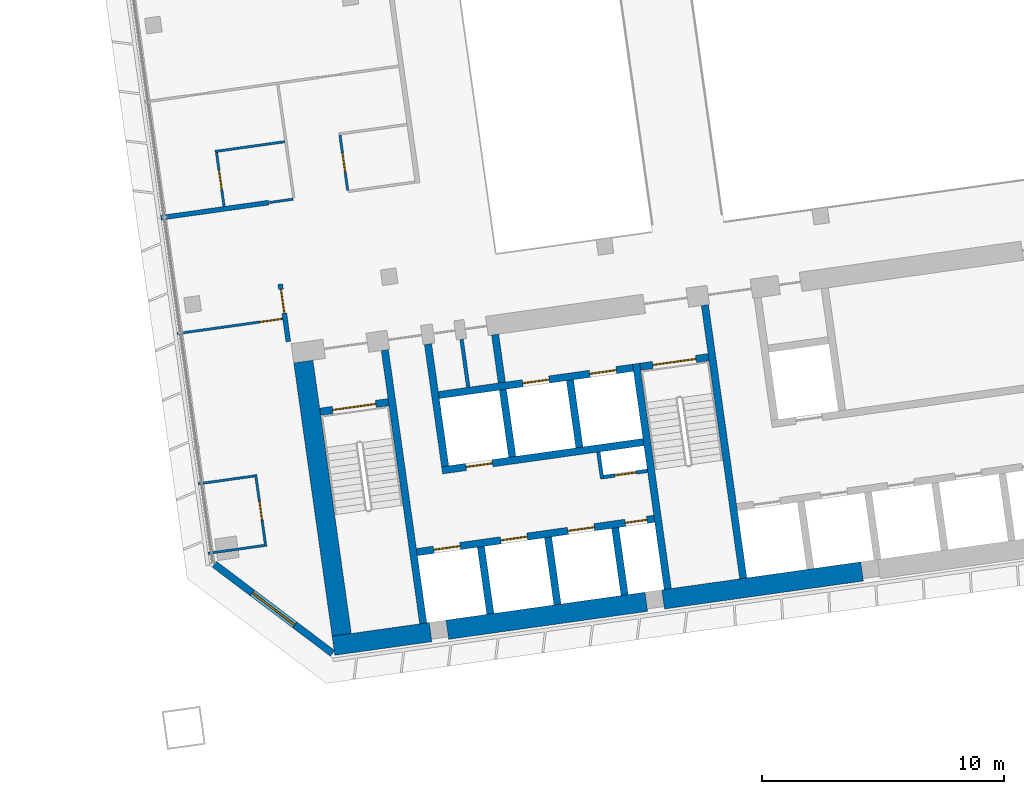
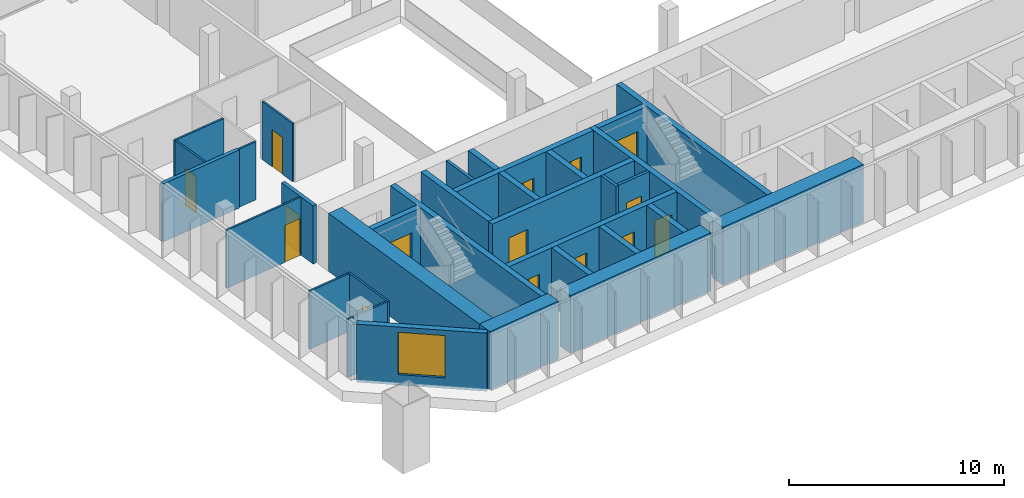
# One storey, part 22 of 34: 33 walls, 15 doors, 1 window, 16 openings.
"""IFC4 building model written with IfcOpenShell, lengths in metres."""

from ifc_helpers import new_model, si_unit, direction, frame, frame_2d, origin, place, context, subcontext, project, spatial, rectangle, extrude, material, layer, layer_set, type_object, element, fill, save


model = new_model("IFC4")

# Units and contexts
model_context = context("Model", 3, precision=1e-05, world=origin(), true_north=direction((0.0, 1.0)))
body_context = subcontext(model_context, "Body", "Model", "MODEL_VIEW")
ifc_project = project(units=[si_unit("LENGTHUNIT", "METRE"), si_unit("AREAUNIT", "SQUARE_METRE"), si_unit("VOLUMEUNIT", "CUBIC_METRE"), si_unit("PLANEANGLEUNIT", "RADIAN"), si_unit("MASSUNIT", "GRAM", prefix="KILO")], contexts=[model_context])

# Site, building, storey
site_placement = place(None, origin())
site = spatial("IfcSite", under=ifc_project, at=site_placement, CompositionType="ELEMENT")
building_placement = place(site_placement, origin())
building = spatial("IfcBuilding", under=site, at=building_placement, Name="Mirante Cascada Hotel Towers", CompositionType="ELEMENT")
storey_placement = place(building_placement, frame((0.0, 0.0, 148.1)))
storey = spatial("IfcBuildingStorey", under=building, at=storey_placement, Name="L34", CompositionType="ELEMENT", Elevation=148.1)

# Wall
ifc_material_1 = material(Name="Fire-rated plasterboard on metal studs")
ifc_layer_1 = layer(ifc_material_1, 0.2)
ifc_layer_set_1 = layer_set([ifc_layer_1], Name="Compartment wall 200 EI 120")
wall_type_1 = type_object("IfcWallType", Name="Compartment wall 200 EI 120", PredefinedType="PARTITIONING", material=ifc_layer_set_1)
wall_1_placement = place(storey_placement, frame((34.4562, -1.3737, 0.0), z_axis=(0.0, 0.0, 1.0), x_axis=(-0.9902674, -0.1391779, 0.0)))
element("IfcWall", 1, at=wall_1_placement, inside=storey, type_object=wall_type_1, Name="Wall 2-L34-04", PredefinedType="PARTITIONING", context=body_context, shape_type="SweptSolid", body=[
    extrude(rectangle(XDim=4.5, YDim=0.2, at=frame_2d((2.25, 0.0))), origin(), (0.0, 0.0, 1.0), 3.3),
])

# Wall, opening, door
wall_2_placement = place(storey_placement, frame((35.2634, -7.1173, 0.0), z_axis=(0.0, 0.0, 1.0), x_axis=(-0.1391635, 0.9902694, 0.0)))
wall_2 = element("IfcWall", 2, at=wall_2_placement, inside=storey, type_object=wall_type_1, Name="Wall 2-L34-29", PredefinedType="PARTITIONING", context=body_context, shape_type="SweptSolid", body=[
    extrude(rectangle(XDim=2.4001, YDim=0.2, at=frame_2d((1.2, 0.0))), origin(), (0.0, 0.0, 1.0), 3.3),
])
opening_1_placement = place(wall_2_placement, frame((1.1833, 0.0, 0.0)))
opening_1 = element("IfcOpeningElement", 3, at=opening_1_placement, cuts=wall_2, Name="Opening D2-L34-22", PredefinedType="OPENING", context=body_context, shape_type="SweptSolid", body=[
    extrude(rectangle(XDim=1.0, YDim=2.1, at=frame_2d((0.5, 1.05))), frame((0.0, 0.1, 0.0), z_axis=(0.0, -1.0, 0.0), x_axis=(1.0, 0.0, 0.0)), (0.0, 0.0, 1.0), 0.2),
])
ifc_material_2 = material(Name="Fire-rated timber door leaf", Category="wood")
door_type_1 = type_object("IfcDoorType", Name="Entrance door DG1 1000x2100 EI 60", OperationType="SINGLE_SWING_LEFT", PredefinedType="DOOR", material=ifc_material_2)
door_1_placement = place(opening_1_placement, origin())
door_1 = element("IfcDoor", 4, at=door_1_placement, inside=storey, type_object=door_type_1, Name="Door D2-L34-22", OperationType="SINGLE_SWING_LEFT", OverallHeight=2.1, OverallWidth=1.0, PredefinedType="DOOR", context=body_context, shape_type="SweptSolid", body=[
    extrude(rectangle(XDim=1.0, YDim=2.1, at=frame_2d((0.5, 1.05))), frame((0.0, 0.025, 0.0), z_axis=(0.0, -1.0, 0.0), x_axis=(1.0, 0.0, 0.0)), (0.0, 0.0, 1.0), 0.05),
])
fill(opening_1, door_1)

# Wall
ifc_material_3 = material(Name="Masonry block", Category="masonry")
ifc_layer_2 = layer(ifc_material_3, 0.15)
ifc_layer_set_2 = layer_set([ifc_layer_2], Name="Core room partition 150 block EI 30")
wall_type_2 = type_object("IfcWallType", Name="Core room partition 150 block EI 30", PredefinedType="PARTITIONING", material=ifc_layer_set_2)
wall_3_placement = place(storey_placement, frame((48.2295, -12.793, 0.0), z_axis=(0.0, 0.0, 1.0), x_axis=(-0.1391935, 0.9902652, 0.0)))
element("IfcWall", 5, at=wall_3_placement, inside=storey, type_object=wall_type_2, Name="Core wall partition T2 L34 2", PredefinedType="PARTITIONING", context=body_context, shape_type="SweptSolid", body=[
    extrude(rectangle(XDim=1.1251, YDim=0.15, at=frame_2d((0.5626, 0.0))), origin(), (0.0, 0.0, 1.0), 3.3),
])

# Wall, opening, door
wall_4_placement = place(storey_placement, frame((48.2933, -12.7083, 0.0), z_axis=(0.0, 0.0, 1.0), x_axis=(0.990268, 0.1391734, 0.0)))
wall_4 = element("IfcWall", 6, at=wall_4_placement, inside=storey, type_object=wall_type_2, Name="Core wall partition T2 L34 3", PredefinedType="PARTITIONING", context=body_context, shape_type="SweptSolid", body=[
    extrude(rectangle(XDim=1.8251, YDim=0.15, at=frame_2d((0.9126, 0.0))), origin(), (0.0, 0.0, 1.0), 3.3),
])
opening_2_placement = place(wall_4_placement, frame((0.4625, 0.0, 0.0)))
opening_2 = element("IfcOpeningElement", 7, at=opening_2_placement, cuts=wall_4, Name="Opening D2-34-C23", PredefinedType="OPENING", context=body_context, shape_type="SweptSolid", body=[
    extrude(rectangle(XDim=0.9, YDim=2.1, at=frame_2d((0.45, 1.05))), frame((0.0, 0.075, 0.0), z_axis=(0.0, -1.0, 0.0), x_axis=(1.0, 0.0, 0.0)), (0.0, 0.0, 1.0), 0.15),
])
ifc_material_4 = material(Name="Hollow metal fire door leaf")
door_type_2 = type_object("IfcDoorType", Name="Fire door 900x2100 FD60", OperationType="NOTDEFINED", PredefinedType="DOOR", material=ifc_material_4)
door_2_placement = place(opening_2_placement, frame((0.9, 0.0, 0.0), z_axis=(0.0, 0.0, 1.0), x_axis=(-1.0, 0.0, 0.0)))
door_2 = element("IfcDoor", 8, at=door_2_placement, inside=storey, type_object=door_type_2, Name="Riser door T2 L34 23", OperationType="SINGLE_SWING_RIGHT", OverallHeight=2.1, OverallWidth=0.9, PredefinedType="DOOR", context=body_context, shape_type="SweptSolid", body=[
    extrude(rectangle(XDim=0.9, YDim=2.1, at=frame_2d((0.45, 1.05))), frame((0.0, 0.025, 0.0), z_axis=(0.0, -1.0, 0.0), x_axis=(1.0, 0.0, 0.0)), (0.0, 0.0, 1.0), 0.05),
])
fill(opening_2, door_2)

# Walls
wall_5_placement = place(storey_placement, frame((42.6979, -9.0009, 0.0), z_axis=(0.0, 0.0, 1.0), x_axis=(-0.1391529, 0.9902709, 0.0)))
element("IfcWall", 9, at=wall_5_placement, inside=storey, type_object=wall_type_2, Name="Core wall partition T2 L34 4", PredefinedType="PARTITIONING", context=body_context, shape_type="SweptSolid", body=[
    extrude(rectangle(XDim=2.0, YDim=0.15, at=frame_2d((1.0, 0.0))), origin(), (0.0, 0.0, 1.0), 3.3),
])
ifc_material_5 = material(Name="Masonry block", Category="masonry")
ifc_layer_3 = layer(ifc_material_5, 0.3)
ifc_layer_set_3 = layer_set([ifc_layer_3], Name="Core wall 300 block EI 120")
wall_type_3 = type_object("IfcWallType", Name="Core wall 300 block EI 120", PredefinedType="PARTITIONING", material=ifc_layer_set_3)
wall_6_placement = place(storey_placement, frame((44.0843, -8.8061, 0.0), z_axis=(0.0, 0.0, 1.0), x_axis=(-0.1391951, 0.990265, 0.0)))
element("IfcWall", 10, at=wall_6_placement, inside=storey, type_object=wall_type_3, Name="Core wall partition T2 L34 1", PredefinedType="PARTITIONING", context=body_context, shape_type="SweptSolid", body=[
    extrude(rectangle(XDim=2.0001, YDim=0.3, at=frame_2d((1.0001, 0.0))), origin(), (0.0, 0.0, 1.0), 3.3),
])
ifc_material_6 = material(Name="Plasterboard on metal studs")
ifc_layer_4 = layer(ifc_material_6, 0.1)
ifc_layer_set_4 = layer_set([ifc_layer_4], Name="Partition 100")
wall_type_4 = type_object("IfcWallType", Name="Partition 100", PredefinedType="PARTITIONING", material=ifc_layer_set_4)
for number, where, z_axis, x_axis, name in (
    (11, (31.9484, -15.8638, 0.0), (0.0, 0.0, 1.0), (0.9902661, 0.139187, 0.0), "Wall 2-L34-01"),
    (12, (33.872, -12.6649, 0.0), (0.0, 0.0, 1.0), (-0.9902661, -0.139187, 0.0), "Wall 2-L34-02"),
):
    element("IfcWall", number, at=place(storey_placement, frame(where, z_axis=z_axis, x_axis=x_axis)), inside=storey, type_object=wall_type_4, Name=name, PredefinedType="PARTITIONING", context=body_context, shape_type="SweptSolid", body=[
        extrude(rectangle(XDim=2.3501, YDim=0.1, at=frame_2d((1.175, 0.0))), origin(), (0.0, 0.0, 1.0), 3.3),
    ])

# Wall, opening, door
wall_7_placement = place(storey_placement, frame((30.6727, -6.7863, 0.0), z_axis=(0.0, 0.0, 1.0), x_axis=(0.9902665, 0.1391841, 0.0)))
wall_7 = element("IfcWall", 13, at=wall_7_placement, inside=storey, type_object=wall_type_4, Name="Wall 2-L34-03", PredefinedType="PARTITIONING", context=body_context, shape_type="SweptSolid", body=[
    extrude(rectangle(XDim=4.3999, YDim=0.1, at=frame_2d((2.2, 0.0))), origin(), (0.0, 0.0, 1.0), 3.3),
])
opening_3_placement = place(wall_7_placement, frame((3.45, 0.0, 0.0)))
opening_3 = element("IfcOpeningElement", 14, at=opening_3_placement, cuts=wall_7, Name="Opening D2-L34-01", PredefinedType="OPENING", context=body_context, shape_type="SweptSolid", body=[
    extrude(rectangle(XDim=0.9, YDim=2.1, at=frame_2d((0.45, 1.05))), frame((0.0, 0.05, 0.0), z_axis=(0.0, -1.0, 0.0), x_axis=(1.0, 0.0, 0.0)), (0.0, 0.0, 1.0), 0.1),
])
ifc_material_7 = material(Name="Timber door leaf", Category="wood")
door_type_3 = type_object("IfcDoorType", Name="Room door DG3 900x2100", OperationType="SINGLE_SWING_LEFT", PredefinedType="DOOR", material=ifc_material_7)
door_3_placement = place(opening_3_placement, frame((0.9, 0.0, 0.0), z_axis=(0.0, 0.0, 1.0), x_axis=(-1.0, 0.0, 0.0)))
door_3 = element("IfcDoor", 15, at=door_3_placement, inside=storey, type_object=door_type_3, Name="Door D2-L34-01", OperationType="SINGLE_SWING_RIGHT", OverallHeight=2.1, OverallWidth=0.9, PredefinedType="DOOR", context=body_context, shape_type="SweptSolid", body=[
    extrude(rectangle(XDim=0.9, YDim=2.1, at=frame_2d((0.45, 1.05))), frame((0.0, 0.025, 0.0), z_axis=(0.0, -1.0, 0.0), x_axis=(1.0, 0.0, 0.0)), (0.0, 0.0, 1.0), 0.05),
])
fill(opening_3, door_3)

# Walls
wall_8_placement = place(storey_placement, frame((34.4859, -1.3695, 0.0), z_axis=(0.0, 0.0, 1.0), x_axis=(0.9902801, 0.1390877, 0.0)))
element("IfcWall", 16, at=wall_8_placement, inside=storey, type_object=wall_type_4, Name="Wall 2-L34-05", PredefinedType="PARTITIONING", context=body_context, shape_type="SweptSolid", body=[
    extrude(rectangle(XDim=0.99, YDim=0.1, at=frame_2d((0.495, 0.0))), origin(), (0.0, 0.0, 1.0), 3.3),
])
wall_9_placement = place(storey_placement, frame((32.2407, 0.7385, 0.0), z_axis=(0.0, 0.0, 1.0), x_axis=(0.9902683, 0.1391714, 0.0)))
element("IfcWall", 17, at=wall_9_placement, inside=storey, type_object=wall_type_4, Name="Wall 2-L34-09", PredefinedType="PARTITIONING", context=body_context, shape_type="SweptSolid", body=[
    extrude(rectangle(XDim=2.9, YDim=0.1, at=frame_2d((1.45, 0.0))), origin(), (0.0, 0.0, 1.0), 3.3),
])

# Wall, opening, door
wall_10_placement = place(storey_placement, frame((34.332, -15.5793, 0.0), z_axis=(0.0, 0.0, 1.0), x_axis=(-0.1391624, 0.9902696, 0.0)))
wall_10 = element("IfcWall", 18, at=wall_10_placement, inside=storey, type_object=wall_type_4, Name="Wall 2-L34-27", PredefinedType="PARTITIONING", context=body_context, shape_type="SweptSolid", body=[
    extrude(rectangle(XDim=3.0001, YDim=0.1, at=frame_2d((1.5001, 0.0))), origin(), (0.0, 0.0, 1.0), 3.3),
])
opening_4_placement = place(wall_10_placement, frame((1.1, 0.0, 0.0)))
opening_4 = element("IfcOpeningElement", 19, at=opening_4_placement, cuts=wall_10, Name="Opening D2-L34-20", PredefinedType="OPENING", context=body_context, shape_type="SweptSolid", body=[
    extrude(rectangle(XDim=0.8, YDim=2.1, at=frame_2d((0.4, 1.05))), frame((0.0, 0.05, 0.0), z_axis=(0.0, -1.0, 0.0), x_axis=(1.0, 0.0, 0.0)), (0.0, 0.0, 1.0), 0.1),
])
ifc_material_8 = material(Name="Timber door leaf", Category="wood")
door_type_4 = type_object("IfcDoorType", Name="Bathroom door DG4 800x2100", OperationType="SINGLE_SWING_LEFT", PredefinedType="DOOR", material=ifc_material_8)
door_4_placement = place(opening_4_placement, frame((0.8, 0.0, 0.0), z_axis=(0.0, 0.0, 1.0), x_axis=(-1.0, 0.0, 0.0)))
door_4 = element("IfcDoor", 20, at=door_4_placement, inside=storey, type_object=door_type_4, Name="Door D2-L34-20", OperationType="SINGLE_SWING_RIGHT", OverallHeight=2.1, OverallWidth=0.8, PredefinedType="DOOR", context=body_context, shape_type="SweptSolid", body=[
    extrude(rectangle(XDim=0.8, YDim=2.1, at=frame_2d((0.4, 1.05))), frame((0.0, 0.025, 0.0), z_axis=(0.0, -1.0, 0.0), x_axis=(1.0, 0.0, 0.0)), (0.0, 0.0, 1.0), 0.05),
])
fill(opening_4, door_4)

wall_11_placement = place(storey_placement, frame((32.2972, 0.6959, 0.0), z_axis=(0.0, 0.0, 1.0), x_axis=(0.1391561, -0.9902705, 0.0)))
wall_11 = element("IfcWall", 21, at=wall_11_placement, inside=storey, type_object=wall_type_4, Name="Wall 2-L34-28", PredefinedType="PARTITIONING", context=body_context, shape_type="SweptSolid", body=[
    extrude(rectangle(XDim=2.25, YDim=0.1, at=frame_2d((1.125, 0.0))), origin(), (0.0, 0.0, 1.0), 3.3),
])
opening_5_placement = place(wall_11_placement, frame((0.75, 0.0, 0.0)))
opening_5 = element("IfcOpeningElement", 22, at=opening_5_placement, cuts=wall_11, Name="Opening D2-L34-21", PredefinedType="OPENING", context=body_context, shape_type="SweptSolid", body=[
    extrude(rectangle(XDim=0.8, YDim=2.1, at=frame_2d((0.4, 1.05))), frame((0.0, 0.05, 0.0), z_axis=(0.0, -1.0, 0.0), x_axis=(1.0, 0.0, 0.0)), (0.0, 0.0, 1.0), 0.1),
])
door_5_placement = place(opening_5_placement, origin())
door_5 = element("IfcDoor", 23, at=door_5_placement, inside=storey, type_object=door_type_4, Name="Door D2-L34-21", OperationType="SINGLE_SWING_LEFT", OverallHeight=2.1, OverallWidth=0.8, PredefinedType="DOOR", context=body_context, shape_type="SweptSolid", body=[
    extrude(rectangle(XDim=0.8, YDim=2.1, at=frame_2d((0.4, 1.05))), frame((0.0, 0.025, 0.0), z_axis=(0.0, -1.0, 0.0), x_axis=(1.0, 0.0, 0.0)), (0.0, 0.0, 1.0), 0.05),
])
fill(opening_5, door_5)

wall_12_placement = place(storey_placement, frame((37.7171, -0.8649, 0.0), z_axis=(0.0, 0.0, 1.0), x_axis=(-0.1391749, 0.9902678, 0.0)))
wall_12 = element("IfcWall", 24, at=wall_12_placement, inside=storey, type_object=wall_type_4, Name="Wall 2-L34-31", PredefinedType="PARTITIONING", context=body_context, shape_type="SweptSolid", body=[
    extrude(rectangle(XDim=2.3, YDim=0.1, at=frame_2d((1.15, 0.0))), origin(), (0.0, 0.0, 1.0), 3.3),
])
opening_6_placement = place(wall_12_placement, frame((0.75, 0.0, 0.0)))
opening_6 = element("IfcOpeningElement", 25, at=opening_6_placement, cuts=wall_12, Name="Opening D2-L34-23", PredefinedType="OPENING", context=body_context, shape_type="SweptSolid", body=[
    extrude(rectangle(XDim=0.8, YDim=2.1, at=frame_2d((0.4, 1.05))), frame((0.0, 0.05, 0.0), z_axis=(0.0, -1.0, 0.0), x_axis=(1.0, 0.0, 0.0)), (0.0, 0.0, 1.0), 0.1),
])
door_6_placement = place(opening_6_placement, frame((0.8, 0.0, 0.0), z_axis=(0.0, 0.0, 1.0), x_axis=(-1.0, 0.0, 0.0)))
door_6 = element("IfcDoor", 26, at=door_6_placement, inside=storey, type_object=door_type_4, Name="Door D2-L34-23", OperationType="SINGLE_SWING_RIGHT", OverallHeight=2.1, OverallWidth=0.8, PredefinedType="DOOR", context=body_context, shape_type="SweptSolid", body=[
    extrude(rectangle(XDim=0.8, YDim=2.1, at=frame_2d((0.4, 1.05))), frame((0.0, 0.025, 0.0), z_axis=(0.0, -1.0, 0.0), x_axis=(1.0, 0.0, 0.0)), (0.0, 0.0, 1.0), 0.05),
])
fill(opening_6, door_6)

# Wall, opening, window
ifc_material_9 = material(Name="Precast concrete C40/50", Category="concrete")
ifc_layer_5 = layer(ifc_material_9, 0.3)
ifc_layer_set_5 = layer_set([ifc_layer_5], Name="Precast concrete C40/50 cladding wall 300")
wall_type_5 = type_object("IfcWallType", Name="Precast concrete C40/50 cladding wall 300", PredefinedType="STANDARD", material=ifc_layer_set_5)
wall_13_placement = place(storey_placement, frame((32.2074, -16.3138, 0.0), z_axis=(0.0, 0.0, 1.0), x_axis=(0.7986362, -0.6018141, 0.0)))
wall_13 = element("IfcWall", 27, at=wall_13_placement, inside=storey, type_object=wall_type_5, Name="Corner cladding wall T2 L34 inner rear", PredefinedType="STANDARD", context=body_context, shape_type="SweptSolid", body=[
    extrude(rectangle(XDim=6.1157, YDim=0.3, at=frame_2d((3.0578, 0.0))), origin(), (0.0, 0.0, 1.0), 3.3),
])
opening_7_placement = place(wall_13_placement, frame((1.9578, 0.0, 0.6)))
opening_7 = element("IfcOpeningElement", 28, at=opening_7_placement, cuts=wall_13, Name="Opening W2-34-06", PredefinedType="OPENING", context=body_context, shape_type="SweptSolid", body=[
    extrude(rectangle(XDim=2.2, YDim=2.4, at=frame_2d((1.1, 1.2))), frame((0.0, 0.15, 0.0), z_axis=(0.0, -1.0, 0.0), x_axis=(1.0, 0.0, 0.0)), (0.0, 0.0, 1.0), 0.3),
])
ifc_material_10 = material(Name="Aluminium frame with clear double glazing", Category="aluminium")
window_type = type_object("IfcWindowType", Name="Corner suite window 2200x2400", PartitioningType="DOUBLE_PANEL_VERTICAL", PredefinedType="WINDOW", material=ifc_material_10)
window_placement = place(opening_7_placement, origin())
window = element("IfcWindow", 29, at=window_placement, inside=storey, type_object=window_type, Name="Window W2-34-06", OverallHeight=2.4, OverallWidth=2.2, PartitioningType="SINGLE_PANEL", PredefinedType="WINDOW", context=body_context, shape_type="SweptSolid", body=[
    extrude(rectangle(XDim=2.2, YDim=2.4, at=frame_2d((1.1, 1.2))), frame((0.0, 0.03, 0.0), z_axis=(0.0, -1.0, 0.0), x_axis=(1.0, 0.0, 0.0)), (0.0, 0.0, 1.0), 0.06),
])
fill(opening_7, window)

# Walls
ifc_material_11 = material(Name="Concrete C50/60", Category="concrete")
ifc_layer_6 = layer(ifc_material_11, 0.3)
ifc_layer_set_6 = layer_set([ifc_layer_6], Name="RC core wall 300 C50/60")
wall_type_6 = type_object("IfcWallType", Name="RC core wall 300 C50/60", PredefinedType="SHEAR", material=ifc_layer_set_6)
wall_14_placement = place(storey_placement, frame((40.8373, -18.7548, 0.0), z_axis=(0.0, 0.0, 1.0), x_axis=(-0.1391749, 0.9902678, 0.0)))
element("IfcWall", 30, at=wall_14_placement, inside=storey, type_object=wall_type_6, Name="Core wall T2:L34:5", PredefinedType="SHEAR", context=body_context, shape_type="SweptSolid", body=[
    extrude(rectangle(XDim=11.4, YDim=0.3, at=frame_2d((5.7, 0.0))), origin(), (0.0, 0.0, 1.0), 3.3),
])
wall_15_placement = place(storey_placement, frame((50.938, -17.3352, 0.0), z_axis=(0.0, 0.0, 1.0), x_axis=(-0.1391706, 0.9902684, 0.0)))
element("IfcWall", 31, at=wall_15_placement, inside=storey, type_object=wall_type_6, Name="Core wall T2:L34:6", PredefinedType="SHEAR", context=body_context, shape_type="SweptSolid", body=[
    extrude(rectangle(XDim=9.4, YDim=0.3, at=frame_2d((4.7, 0.0))), origin(), (0.0, 0.0, 1.0), 3.3),
])
wall_16_placement = place(storey_placement, frame((54.0574, -16.8968, 0.0), z_axis=(0.0, 0.0, 1.0), x_axis=(-0.1391761, 0.9902677, 0.0)))
element("IfcWall", 32, at=wall_16_placement, inside=storey, type_object=wall_type_6, Name="Core wall T2:L34:7", PredefinedType="SHEAR", context=body_context, shape_type="SweptSolid", body=[
    extrude(rectangle(XDim=11.3999, YDim=0.3, at=frame_2d((5.7, 0.0))), origin(), (0.0, 0.0, 1.0), 3.3),
])

# Wall, opening, door
wall_17_placement = place(storey_placement, frame((36.5791, -10.0123, 0.0), z_axis=(0.0, 0.0, 1.0), x_axis=(0.9902704, 0.1391564, 0.0)))
wall_17 = element("IfcWall", 33, at=wall_17_placement, inside=storey, type_object=wall_type_6, Name="Core wall T2:L34:9", PredefinedType="SHEAR", context=body_context, shape_type="SweptSolid", body=[
    extrude(rectangle(XDim=2.85, YDim=0.3, at=frame_2d((1.425, 0.0))), origin(), (0.0, 0.0, 1.0), 3.3),
])
opening_8_placement = place(wall_17_placement, frame((0.525, 0.0, 0.0)))
opening_8 = element("IfcOpeningElement", 34, at=opening_8_placement, cuts=wall_17, Name="Opening D2-34-C13", PredefinedType="OPENING", context=body_context, shape_type="SweptSolid", body=[
    extrude(rectangle(XDim=1.8, YDim=2.1, at=frame_2d((0.9, 1.05))), frame((0.0, 0.15, 0.0), z_axis=(0.0, -1.0, 0.0), x_axis=(1.0, 0.0, 0.0)), (0.0, 0.0, 1.0), 0.3),
])
ifc_material_12 = material(Name="Hollow metal fire door leaf")
door_type_5 = type_object("IfcDoorType", Name="Double fire door 1800x2100 FD60", OperationType="DOUBLE_DOOR_SINGLE_SWING", PredefinedType="DOOR", material=ifc_material_12)
door_7_placement = place(opening_8_placement, frame((1.8, 0.0, 0.0), z_axis=(0.0, 0.0, 1.0), x_axis=(-1.0, 0.0, 0.0)))
door_7 = element("IfcDoor", 35, at=door_7_placement, inside=storey, type_object=door_type_5, Name="Stair door T2 L34 13", OperationType="DOUBLE_DOOR_SINGLE_SWING", OverallHeight=2.1, OverallWidth=1.8, PredefinedType="DOOR", context=body_context, shape_type="SweptSolid", body=[
    extrude(rectangle(XDim=0.895, YDim=2.1, at=frame_2d((0.4475, 1.05))), frame((0.0, 0.025, 0.0), z_axis=(0.0, -1.0, 0.0), x_axis=(1.0, 0.0, 0.0)), (0.0, 0.0, 1.0), 0.05),
    extrude(rectangle(XDim=0.895, YDim=2.1, at=frame_2d((1.3525, 1.05))), frame((0.0, 0.025, 0.0), z_axis=(0.0, -1.0, 0.0), x_axis=(1.0, 0.0, 0.0)), (0.0, 0.0, 1.0), 0.05),
])
fill(opening_8, door_7)

wall_18_placement = place(storey_placement, frame((49.7992, -8.1544, 0.0), z_axis=(0.0, 0.0, 1.0), x_axis=(0.9902656, 0.1391909, 0.0)))
wall_18 = element("IfcWall", 36, at=wall_18_placement, inside=storey, type_object=wall_type_6, Name="Core wall T2:L34:10", PredefinedType="SHEAR", context=body_context, shape_type="SweptSolid", body=[
    extrude(rectangle(XDim=2.85, YDim=0.3, at=frame_2d((1.425, 0.0))), origin(), (0.0, 0.0, 1.0), 3.3),
])
opening_9_placement = place(wall_18_placement, frame((0.525, 0.0, 0.0)))
opening_9 = element("IfcOpeningElement", 37, at=opening_9_placement, cuts=wall_18, Name="Opening D2-34-C15", PredefinedType="OPENING", context=body_context, shape_type="SweptSolid", body=[
    extrude(rectangle(XDim=1.8, YDim=2.1, at=frame_2d((0.9, 1.05))), frame((0.0, 0.15, 0.0), z_axis=(0.0, -1.0, 0.0), x_axis=(1.0, 0.0, 0.0)), (0.0, 0.0, 1.0), 0.3),
])
door_8_placement = place(opening_9_placement, frame((1.8, 0.0, 0.0), z_axis=(0.0, 0.0, 1.0), x_axis=(-1.0, 0.0, 0.0)))
door_8 = element("IfcDoor", 38, at=door_8_placement, inside=storey, type_object=door_type_5, Name="Stair door T2 L34 15", OperationType="DOUBLE_DOOR_SINGLE_SWING", OverallHeight=2.1, OverallWidth=1.8, PredefinedType="DOOR", context=body_context, shape_type="SweptSolid", body=[
    extrude(rectangle(XDim=0.895, YDim=2.1, at=frame_2d((0.4475, 1.05))), frame((0.0, 0.025, 0.0), z_axis=(0.0, -1.0, 0.0), x_axis=(1.0, 0.0, 0.0)), (0.0, 0.0, 1.0), 0.05),
    extrude(rectangle(XDim=0.895, YDim=2.1, at=frame_2d((1.3525, 1.05))), frame((0.0, 0.025, 0.0), z_axis=(0.0, -1.0, 0.0), x_axis=(1.0, 0.0, 0.0)), (0.0, 0.0, 1.0), 0.05),
])
fill(opening_9, door_8)

# Wall, openings, doors
wall_19_placement = place(storey_placement, frame((40.5753, -15.8126, 0.0), z_axis=(0.0, 0.0, 1.0), x_axis=(0.9902682, 0.1391725, 0.0)))
wall_19 = element("IfcWall", 39, at=wall_19_placement, inside=storey, type_object=wall_type_6, Name="Core wall T2:L34:12", PredefinedType="SHEAR", context=body_context, shape_type="SweptSolid", body=[
    extrude(rectangle(XDim=9.8999, YDim=0.3, at=frame_2d((4.95, 0.0))), origin(), (0.0, 0.0, 1.0), 3.3),
])
opening_10_placement = place(wall_19_placement, frame((0.7, 0.0, 0.0)))
opening_10 = element("IfcOpeningElement", 40, at=opening_10_placement, cuts=wall_19, Name="Opening LD", PredefinedType="OPENING", context=body_context, shape_type="SweptSolid", body=[
    extrude(rectangle(XDim=1.1, YDim=2.1, at=frame_2d((0.55, 1.05))), frame((0.0, 0.15, 0.0), z_axis=(0.0, -1.0, 0.0), x_axis=(1.0, 0.0, 0.0)), (0.0, 0.0, 1.0), 0.3),
])
opening_11_placement = place(wall_19_placement, frame((3.5, 0.0, 0.0)))
opening_11 = element("IfcOpeningElement", 41, at=opening_11_placement, cuts=wall_19, Name="Opening LD", PredefinedType="OPENING", context=body_context, shape_type="SweptSolid", body=[
    extrude(rectangle(XDim=1.1, YDim=2.1, at=frame_2d((0.55, 1.05))), frame((0.0, 0.15, 0.0), z_axis=(0.0, -1.0, 0.0), x_axis=(1.0, 0.0, 0.0)), (0.0, 0.0, 1.0), 0.3),
])
opening_12_placement = place(wall_19_placement, frame((6.3, 0.0, 0.0)))
opening_12 = element("IfcOpeningElement", 42, at=opening_12_placement, cuts=wall_19, Name="Opening LD", PredefinedType="OPENING", context=body_context, shape_type="SweptSolid", body=[
    extrude(rectangle(XDim=1.1, YDim=2.1, at=frame_2d((0.55, 1.05))), frame((0.0, 0.15, 0.0), z_axis=(0.0, -1.0, 0.0), x_axis=(1.0, 0.0, 0.0)), (0.0, 0.0, 1.0), 0.3),
])
opening_13_placement = place(wall_19_placement, frame((8.7, 0.0, 0.0)))
opening_13 = element("IfcOpeningElement", 43, at=opening_13_placement, cuts=wall_19, Name="Opening D2-34-C22", PredefinedType="OPENING", context=body_context, shape_type="SweptSolid", body=[
    extrude(rectangle(XDim=0.9, YDim=2.1, at=frame_2d((0.45, 1.05))), frame((0.0, 0.15, 0.0), z_axis=(0.0, -1.0, 0.0), x_axis=(1.0, 0.0, 0.0)), (0.0, 0.0, 1.0), 0.3),
])
door_9_placement = place(opening_13_placement, frame((0.9, 0.0, 0.0), z_axis=(0.0, 0.0, 1.0), x_axis=(-1.0, 0.0, 0.0)))
door_9 = element("IfcDoor", 44, at=door_9_placement, inside=storey, type_object=door_type_2, Name="Riser door T2 L34 22", OperationType="SINGLE_SWING_RIGHT", OverallHeight=2.1, OverallWidth=0.9, PredefinedType="DOOR", context=body_context, shape_type="SweptSolid", body=[
    extrude(rectangle(XDim=0.9, YDim=2.1, at=frame_2d((0.45, 1.05))), frame((0.0, 0.025, 0.0), z_axis=(0.0, -1.0, 0.0), x_axis=(1.0, 0.0, 0.0)), (0.0, 0.0, 1.0), 0.05),
])
fill(opening_13, door_9)
ifc_material_13 = material(Name="Stainless steel", Category="steel")
door_type_6 = type_object("IfcDoorType", Name="Lift landing door 1100x2100 EI 120", OperationType="DOUBLE_DOOR_SLIDING", PredefinedType="DOOR", material=ifc_material_13)
door_10_placement = place(opening_10_placement, origin())
door_10 = element("IfcDoor", 45, at=door_10_placement, inside=storey, type_object=door_type_6, Name="Lift landing door HR2-1 L34", OperationType="DOUBLE_DOOR_SLIDING", OverallHeight=2.1, OverallWidth=1.1, PredefinedType="DOOR", context=body_context, shape_type="SweptSolid", body=[
    extrude(rectangle(XDim=0.545, YDim=2.1, at=frame_2d((0.2725, 1.05))), frame((0.0, 0.025, 0.0), z_axis=(0.0, -1.0, 0.0), x_axis=(1.0, 0.0, 0.0)), (0.0, 0.0, 1.0), 0.05),
    extrude(rectangle(XDim=0.545, YDim=2.1, at=frame_2d((0.8275, 1.05))), frame((0.0, 0.025, 0.0), z_axis=(0.0, -1.0, 0.0), x_axis=(1.0, 0.0, 0.0)), (0.0, 0.0, 1.0), 0.05),
])
fill(opening_10, door_10)
door_11_placement = place(opening_11_placement, origin())
door_11 = element("IfcDoor", 46, at=door_11_placement, inside=storey, type_object=door_type_6, Name="Lift landing door HR2-2 L34", OperationType="DOUBLE_DOOR_SLIDING", OverallHeight=2.1, OverallWidth=1.1, PredefinedType="DOOR", context=body_context, shape_type="SweptSolid", body=[
    extrude(rectangle(XDim=0.545, YDim=2.1, at=frame_2d((0.2725, 1.05))), frame((0.0, 0.025, 0.0), z_axis=(0.0, -1.0, 0.0), x_axis=(1.0, 0.0, 0.0)), (0.0, 0.0, 1.0), 0.05),
    extrude(rectangle(XDim=0.545, YDim=2.1, at=frame_2d((0.8275, 1.05))), frame((0.0, 0.025, 0.0), z_axis=(0.0, -1.0, 0.0), x_axis=(1.0, 0.0, 0.0)), (0.0, 0.0, 1.0), 0.05),
])
fill(opening_11, door_11)
door_12_placement = place(opening_12_placement, origin())
door_12 = element("IfcDoor", 47, at=door_12_placement, inside=storey, type_object=door_type_6, Name="Lift landing door HR2-3 L34", OperationType="DOUBLE_DOOR_SLIDING", OverallHeight=2.1, OverallWidth=1.1, PredefinedType="DOOR", context=body_context, shape_type="SweptSolid", body=[
    extrude(rectangle(XDim=0.545, YDim=2.1, at=frame_2d((0.2725, 1.05))), frame((0.0, 0.025, 0.0), z_axis=(0.0, -1.0, 0.0), x_axis=(1.0, 0.0, 0.0)), (0.0, 0.0, 1.0), 0.05),
    extrude(rectangle(XDim=0.545, YDim=2.1, at=frame_2d((0.8275, 1.05))), frame((0.0, 0.025, 0.0), z_axis=(0.0, -1.0, 0.0), x_axis=(1.0, 0.0, 0.0)), (0.0, 0.0, 1.0), 0.05),
])
fill(opening_12, door_12)

# Wall, opening, door
wall_20_placement = place(storey_placement, frame((41.6153, -12.435, 0.0), z_axis=(0.0, 0.0, 1.0), x_axis=(0.9902691, 0.139166, 0.0)))
wall_20 = element("IfcWall", 48, at=wall_20_placement, inside=storey, type_object=wall_type_6, Name="Core wall T2:L34:13", PredefinedType="SHEAR", context=body_context, shape_type="SweptSolid", body=[
    extrude(rectangle(XDim=8.4, YDim=0.3, at=frame_2d((4.2, 0.0))), origin(), (0.0, 0.0, 1.0), 3.3),
])
opening_14_placement = place(wall_20_placement, frame((1.0, 0.0, 0.0)))
opening_14 = element("IfcOpeningElement", 49, at=opening_14_placement, cuts=wall_20, Name="Opening LD", PredefinedType="OPENING", context=body_context, shape_type="SweptSolid", body=[
    extrude(rectangle(XDim=1.1, YDim=2.1, at=frame_2d((0.55, 1.05))), frame((0.0, 0.15, 0.0), z_axis=(0.0, -1.0, 0.0), x_axis=(1.0, 0.0, 0.0)), (0.0, 0.0, 1.0), 0.3),
])
door_13_placement = place(opening_14_placement, origin())
door_13 = element("IfcDoor", 50, at=door_13_placement, inside=storey, type_object=door_type_6, Name="Lift landing door HR2-4 L34", OperationType="DOUBLE_DOOR_SLIDING", OverallHeight=2.1, OverallWidth=1.1, PredefinedType="DOOR", context=body_context, shape_type="SweptSolid", body=[
    extrude(rectangle(XDim=0.545, YDim=2.1, at=frame_2d((0.2725, 1.05))), frame((0.0, 0.025, 0.0), z_axis=(0.0, -1.0, 0.0), x_axis=(1.0, 0.0, 0.0)), (0.0, 0.0, 1.0), 0.05),
    extrude(rectangle(XDim=0.545, YDim=2.1, at=frame_2d((0.8275, 1.05))), frame((0.0, 0.025, 0.0), z_axis=(0.0, -1.0, 0.0), x_axis=(1.0, 0.0, 0.0)), (0.0, 0.0, 1.0), 0.05),
])
fill(opening_14, door_13)

# Wall, openings, doors
wall_21_placement = place(storey_placement, frame((41.481, -9.3234, 0.0), z_axis=(0.0, 0.0, 1.0), x_axis=(0.9902679, 0.1391741, 0.0)))
wall_21 = element("IfcWall", 51, at=wall_21_placement, inside=storey, type_object=wall_type_6, Name="Core wall T2:L34:14", PredefinedType="SHEAR", context=body_context, shape_type="SweptSolid", body=[
    extrude(rectangle(XDim=8.0999, YDim=0.3, at=frame_2d((4.05, 0.0))), origin(), (0.0, 0.0, 1.0), 3.3),
])
opening_15_placement = place(wall_21_placement, frame((3.5, 0.0, 0.0)))
opening_15 = element("IfcOpeningElement", 52, at=opening_15_placement, cuts=wall_21, Name="Opening LD", PredefinedType="OPENING", context=body_context, shape_type="SweptSolid", body=[
    extrude(rectangle(XDim=1.1, YDim=2.1, at=frame_2d((0.55, 1.05))), frame((0.0, 0.15, 0.0), z_axis=(0.0, -1.0, 0.0), x_axis=(1.0, 0.0, 0.0)), (0.0, 0.0, 1.0), 0.3),
])
opening_16_placement = place(wall_21_placement, frame((6.3, 0.0, 0.0)))
opening_16 = element("IfcOpeningElement", 53, at=opening_16_placement, cuts=wall_21, Name="Opening LD", PredefinedType="OPENING", context=body_context, shape_type="SweptSolid", body=[
    extrude(rectangle(XDim=1.1, YDim=2.1, at=frame_2d((0.55, 1.05))), frame((0.0, 0.15, 0.0), z_axis=(0.0, -1.0, 0.0), x_axis=(1.0, 0.0, 0.0)), (0.0, 0.0, 1.0), 0.3),
])
door_14_placement = place(opening_15_placement, origin())
door_14 = element("IfcDoor", 54, at=door_14_placement, inside=storey, type_object=door_type_6, Name="Lift landing door FF3 L34", OperationType="DOUBLE_DOOR_SLIDING", OverallHeight=2.1, OverallWidth=1.1, PredefinedType="DOOR", context=body_context, shape_type="SweptSolid", body=[
    extrude(rectangle(XDim=0.545, YDim=2.1, at=frame_2d((0.2725, 1.05))), frame((0.0, 0.025, 0.0), z_axis=(0.0, -1.0, 0.0), x_axis=(1.0, 0.0, 0.0)), (0.0, 0.0, 1.0), 0.05),
    extrude(rectangle(XDim=0.545, YDim=2.1, at=frame_2d((0.8275, 1.05))), frame((0.0, 0.025, 0.0), z_axis=(0.0, -1.0, 0.0), x_axis=(1.0, 0.0, 0.0)), (0.0, 0.0, 1.0), 0.05),
])
fill(opening_15, door_14)
door_15_placement = place(opening_16_placement, origin())
door_15 = element("IfcDoor", 55, at=door_15_placement, inside=storey, type_object=door_type_6, Name="Lift landing door FF4 L34", OperationType="DOUBLE_DOOR_SLIDING", OverallHeight=2.1, OverallWidth=1.1, PredefinedType="DOOR", context=body_context, shape_type="SweptSolid", body=[
    extrude(rectangle(XDim=0.545, YDim=2.1, at=frame_2d((0.2725, 1.05))), frame((0.0, 0.025, 0.0), z_axis=(0.0, -1.0, 0.0), x_axis=(1.0, 0.0, 0.0)), (0.0, 0.0, 1.0), 0.05),
    extrude(rectangle(XDim=0.545, YDim=2.1, at=frame_2d((0.8275, 1.05))), frame((0.0, 0.025, 0.0), z_axis=(0.0, -1.0, 0.0), x_axis=(1.0, 0.0, 0.0)), (0.0, 0.0, 1.0), 0.05),
])
fill(opening_16, door_15)

# Walls
wall_22_placement = place(storey_placement, frame((43.61, -18.3651, 0.0), z_axis=(0.0, 0.0, 1.0), x_axis=(-0.1391459, 0.9902719, 0.0)))
element("IfcWall", 56, at=wall_22_placement, inside=storey, type_object=wall_type_6, Name="Core wall T2:L34:15", PredefinedType="SHEAR", context=body_context, shape_type="SweptSolid", body=[
    extrude(rectangle(XDim=2.7999, YDim=0.3, at=frame_2d((1.4, 0.0))), origin(), (0.0, 0.0, 1.0), 3.3),
])
wall_23_placement = place(storey_placement, frame((46.3828, -17.9754, 0.0), z_axis=(0.0, 0.0, 1.0), x_axis=(-0.139181, 0.990267, 0.0)))
element("IfcWall", 57, at=wall_23_placement, inside=storey, type_object=wall_type_6, Name="Core wall T2:L34:16", PredefinedType="SHEAR", context=body_context, shape_type="SweptSolid", body=[
    extrude(rectangle(XDim=2.8, YDim=0.3, at=frame_2d((1.4, 0.0))), origin(), (0.0, 0.0, 1.0), 3.3),
])
wall_24_placement = place(storey_placement, frame((49.1555, -17.5857, 0.0), z_axis=(0.0, 0.0, 1.0), x_axis=(-0.1391459, 0.9902719, 0.0)))
element("IfcWall", 58, at=wall_24_placement, inside=storey, type_object=wall_type_6, Name="Core wall T2:L34:17", PredefinedType="SHEAR", context=body_context, shape_type="SweptSolid", body=[
    extrude(rectangle(XDim=2.7999, YDim=0.3, at=frame_2d((1.4, 0.0))), origin(), (0.0, 0.0, 1.0), 3.3),
])
for number, where, z_axis, x_axis, name in (
    (59, (44.5157, -11.8759, 0.0), (0.0, 0.0, 1.0), (-0.139181, 0.990267, 0.0), "Core wall T2:L34:18"),
    (60, (47.2885, -11.4862, 0.0), (0.0, 0.0, 1.0), (-0.139181, 0.990267, 0.0), "Core wall T2:L34:19"),
):
    element("IfcWall", number, at=place(storey_placement, frame(where, z_axis=z_axis, x_axis=x_axis)), inside=storey, type_object=wall_type_6, Name=name, PredefinedType="SHEAR", context=body_context, shape_type="SweptSolid", body=[
        extrude(rectangle(XDim=2.8, YDim=0.3, at=frame_2d((1.4, 0.0))), origin(), (0.0, 0.0, 1.0), 3.3),
    ])
wall_25_placement = place(storey_placement, frame((41.743, -12.2656, 0.0), z_axis=(0.0, 0.0, 1.0), x_axis=(-0.1391755, 0.9902677, 0.0)))
element("IfcWall", 61, at=wall_25_placement, inside=storey, type_object=wall_type_6, Name="Core wall T2:L34:20", PredefinedType="SHEAR", context=body_context, shape_type="SweptSolid", body=[
    extrude(rectangle(XDim=5.1, YDim=0.3, at=frame_2d((2.55, 0.0))), origin(), (0.0, 0.0, 1.0), 3.3),
])
ifc_material_14 = material(Name="Concrete C50/60", Category="concrete")
ifc_layer_7 = layer(ifc_material_14, 0.8)
ifc_layer_set_7 = layer_set([ifc_layer_7], Name="RC core wall 800 C50/60")
wall_type_7 = type_object("IfcWallType", Name="RC core wall 800 C50/60", PredefinedType="SHEAR", material=ifc_layer_set_7)
wall_26_placement = place(storey_placement, frame((37.1299, -19.6798, 0.0), z_axis=(0.0, 0.0, 1.0), x_axis=(0.9902665, 0.1391845, 0.0)))
element("IfcWall", 62, at=wall_26_placement, inside=storey, type_object=wall_type_7, Name="Core wall T2:L34:1.1", PredefinedType="SHEAR", context=body_context, shape_type="SweptSolid", body=[
    extrude(rectangle(XDim=4.05, YDim=0.8, at=frame_2d((2.025, 0.0))), origin(), (0.0, 0.0, 1.0), 3.3),
])
for number, where, z_axis, x_axis, name in (
    (63, (41.8337, -19.0187, 0.0), (0.0, 0.0, 1.0), (0.9902686, 0.1391692, 0.0), "Core wall T2:L34:1.2"),
    (64, (50.7461, -17.7661, 0.0), (0.0, 0.0, 1.0), (0.9902686, 0.1391692, 0.0), "Core wall T2:L34:1.3"),
):
    element("IfcWall", number, at=place(storey_placement, frame(where, z_axis=z_axis, x_axis=x_axis)), inside=storey, type_object=wall_type_7, Name=name, PredefinedType="SHEAR", context=body_context, shape_type="SweptSolid", body=[
        extrude(rectangle(XDim=8.3, YDim=0.8, at=frame_2d((4.15, 0.0))), origin(), (0.0, 0.0, 1.0), 3.3),
    ])
wall_27_placement = place(storey_placement, frame((37.4704, -19.228, 0.0), z_axis=(0.0, 0.0, 1.0), x_axis=(-0.1391749, 0.9902678, 0.0)))
element("IfcWall", 65, at=wall_27_placement, inside=storey, type_object=wall_type_7, Name="Core wall T2:L34:3", PredefinedType="SHEAR", context=body_context, shape_type="SweptSolid", body=[
    extrude(rectangle(XDim=11.4, YDim=0.8, at=frame_2d((5.7, 0.0))), origin(), (0.0, 0.0, 1.0), 3.3),
])

save(model, "model.ifc")
